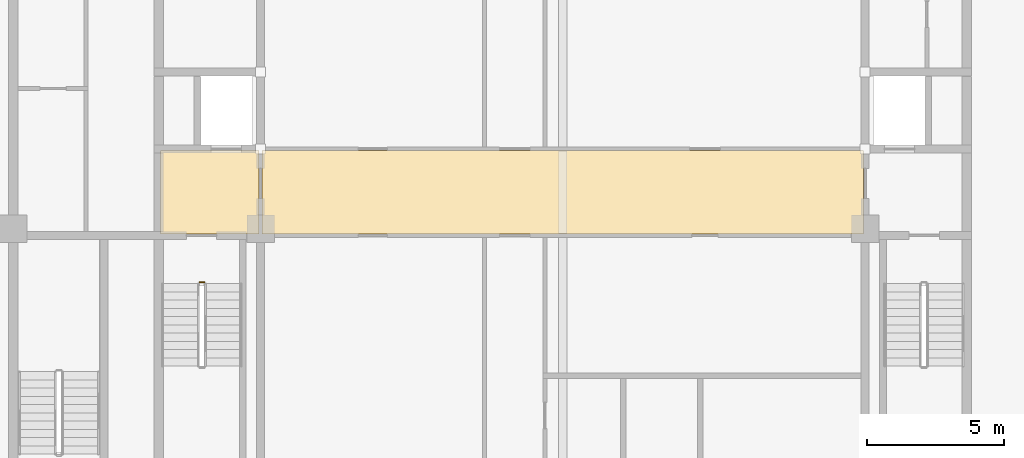
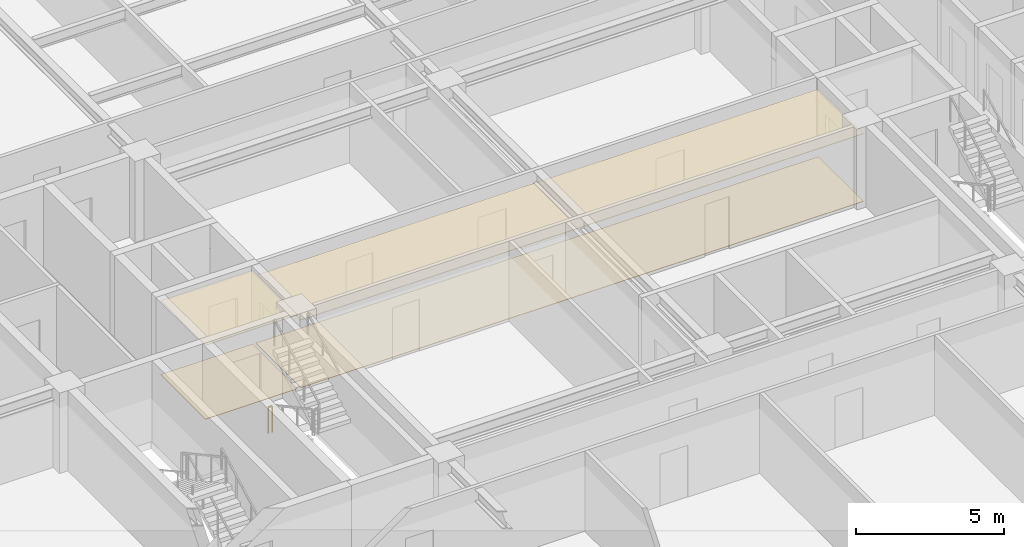
# One storey, part 18 of 20: 4 coverings, 1 railing.
"""IFC4 building model written with IfcOpenShell, lengths in metres."""

from ifc_helpers import new_model, si_unit, direction, frame, origin, origin_2d, place, context, subcontext, project, spatial, polyline, rectangle, outline, extrude, material, layer, layer_set, type_object, element, save


model = new_model("IFC4")

# Units and contexts
model_context = context("Model", 3, precision=1e-05, world=origin(), true_north=direction((0.0, 1.0)))
body_context = subcontext(model_context, "Body", "Model", "MODEL_VIEW")
ifc_project = project(units=[si_unit("LENGTHUNIT", "METRE"), si_unit("AREAUNIT", "SQUARE_METRE"), si_unit("VOLUMEUNIT", "CUBIC_METRE"), si_unit("PLANEANGLEUNIT", "RADIAN"), si_unit("MASSUNIT", "GRAM", prefix="KILO")], contexts=[model_context])

# Site, building, storey
site_placement = place(None, origin())
site = spatial("IfcSite", under=ifc_project, at=site_placement, CompositionType="ELEMENT")
building_placement = place(site_placement, origin())
building = spatial("IfcBuilding", under=site, at=building_placement, Name="Zulmaris Gate Convention Tower", CompositionType="ELEMENT")
storey_placement = place(building_placement, frame((0.0, 0.0, 142.769775390625)))
storey = spatial("IfcBuildingStorey", under=building, at=storey_placement, Name="L36", CompositionType="ELEMENT", Elevation=142.769775390625)

# Coverings
ifc_material_1 = material(Name="Mineral Fibre Acoustic Ceiling Tile")
ifc_layer_1 = layer(ifc_material_1, 0.02001953125, Name="Mineral Fibre Acoustic Ceiling Tile")
ifc_layer_set_1 = layer_set([ifc_layer_1], Name="Mineral Fibre Acoustic Ceiling Tile")
covering_type_1 = type_object("IfcCoveringType", Name="CLG-ACOUSTIC-600", PredefinedType="CEILING", material=ifc_layer_set_1)
covering_1_placement = place(storey_placement, frame((0.0, 0.0, 3.0400390625)))
element("IfcCovering", 1, at=covering_1_placement, inside=storey, type_object=covering_type_1, Name="CLG-L36-R03", PredefinedType="CEILING", context=body_context, shape_type="SweptSolid", body=[
    extrude(outline(polyline([(-14.639892578125, -0.18994140625), (-11.06005859375, -0.18994140625), (-11.06005859375, 2.840087890625), (-14.639892578125, 2.840087890625), (-14.639892578125, -0.18994140625)])), origin(), (0.0, 0.0, 1.0), 0.02001953125),
])
covering_2_placement = place(storey_placement, frame((0.0, 0.0, 2.778076171875)))
element("IfcCovering", 2, at=covering_2_placement, inside=storey, type_object=covering_type_1, Name="CLG-L36-R30", PredefinedType="CEILING", context=body_context, shape_type="SweptSolid", body=[
    extrude(outline(polyline([(-10.93994140625, -0.18994140625), (10.93994140625, -0.18994140625), (10.93994140625, 2.840087890625), (-10.93994140625, 2.840087890625), (-10.93994140625, -0.18994140625)])), origin(), (0.0, 0.0, 1.0), 0.02001953125),
])
ifc_material_2 = material(Name="Woven Acoustic Wool Carpet Tile")
ifc_layer_2 = layer(ifc_material_2, 0.02001953125, Name="Woven Acoustic Wool Carpet Tile")
ifc_layer_set_2 = layer_set([ifc_layer_2], Name="Woven Acoustic Wool Carpet Tile")
covering_type_2 = type_object("IfcCoveringType", Name="FLR-CARPET-12", PredefinedType="FLOORING", material=ifc_layer_set_2)
covering_3_placement = place(storey_placement, origin())
element("IfcCovering", 3, at=covering_3_placement, inside=storey, type_object=covering_type_2, Name="FLR-L36-R03", PredefinedType="FLOORING", context=body_context, shape_type="SweptSolid", body=[
    extrude(outline(polyline([(-14.639892578125, -0.18994140625), (-11.06005859375, -0.18994140625), (-11.06005859375, 2.840087890625), (-14.639892578125, 2.840087890625), (-14.639892578125, -0.18994140625)])), origin(), (0.0, 0.0, 1.0), 0.02001953125),
])
covering_4_placement = place(storey_placement, origin())
element("IfcCovering", 4, at=covering_4_placement, inside=storey, type_object=covering_type_2, Name="FLR-L36-R30", PredefinedType="FLOORING", context=body_context, shape_type="SweptSolid", body=[
    extrude(outline(polyline([(-10.93994140625, -0.18994140625), (10.93994140625, -0.18994140625), (10.93994140625, 2.840087890625), (-10.93994140625, 2.840087890625), (-10.93994140625, -0.18994140625)])), origin(), (0.0, 0.0, 1.0), 0.02001953125),
])

# Railing
ifc_material_3 = material(Name="Painted Galvanised Steel", Category="steel")
railing_type = type_object("IfcRailingType", Name="RL-STG-1150", PredefinedType="GUARDRAIL", material=ifc_material_3)
railing_placement = place(storey_placement, frame((-13.219970703125, -1.949951171875, 0.0)))
element("IfcRailing", 5, at=railing_placement, inside=storey, type_object=railing_type, Name="L36 ST-1 stair guard 4", PredefinedType="GUARDRAIL", context=body_context, shape_type="SweptSolid", body=[
    extrude(rectangle(XDim=0.048095703125, YDim=0.048095703125, at=origin_2d()), frame((0.0, 0.0, 1.076171875), z_axis=(1.0, 0.0, 0.0), x_axis=(0.0, 1.0, 0.0)), (0.0, 0.0, 1.0), 0.159912109375),
    extrude(rectangle(XDim=0.0419921875, YDim=0.0419921875, at=origin_2d()), origin(), (0.0, 0.0, 1.0), 1.052001953125),
    extrude(rectangle(XDim=0.0419921875, YDim=0.0419921875, at=origin_2d()), frame((0.159912109375, 0.0, 0.0)), (0.0, 0.0, 1.0), 1.052001953125),
])

save(model, "model.ifc")
